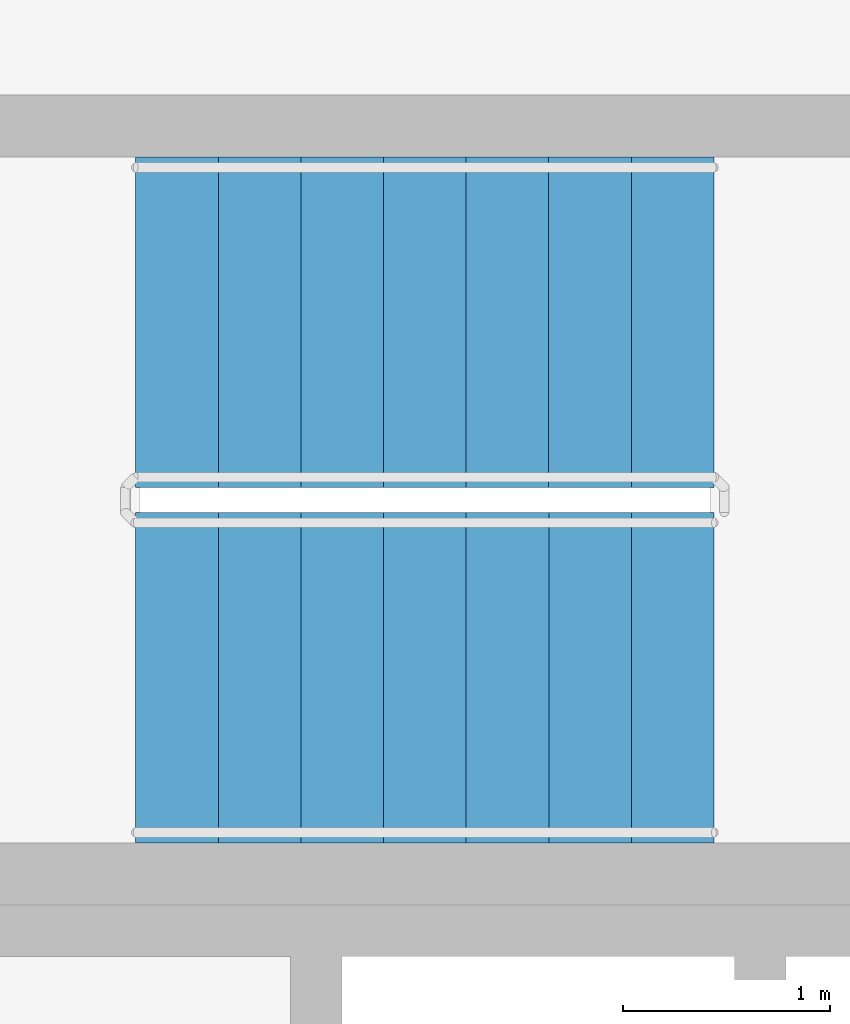
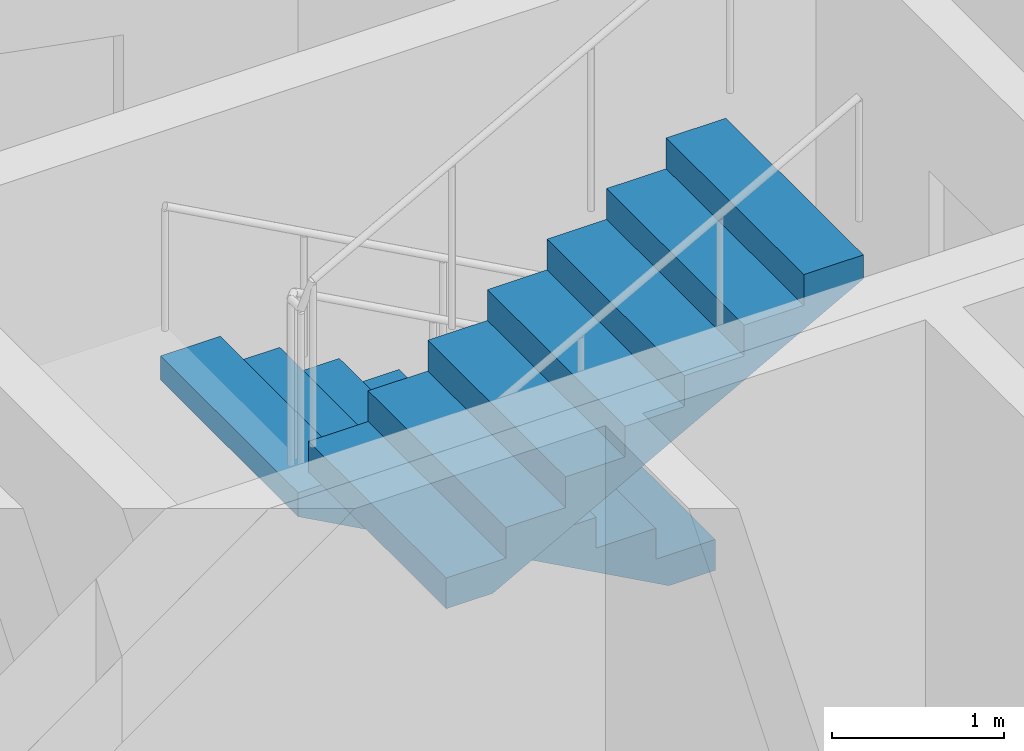
# One storey, part 17 of 18: 2 stair flights, 1 element without a shape of its own.
"""IFC4 building model written with IfcOpenShell, lengths in metres."""

from ifc_helpers import new_model, si_unit, direction, frame, origin, place, context, subcontext, project, spatial, polyline, outline, extrude, material, type_object, element, aggregate, save


model = new_model("IFC4")

# Units and contexts
model_context = context("Model", 3, precision=1e-05, world=origin(), true_north=direction((0.0, 1.0)))
body_context = subcontext(model_context, "Body", "Model", "MODEL_VIEW")
ifc_project = project(units=[si_unit("LENGTHUNIT", "METRE"), si_unit("AREAUNIT", "SQUARE_METRE"), si_unit("VOLUMEUNIT", "CUBIC_METRE"), si_unit("PLANEANGLEUNIT", "RADIAN"), si_unit("MASSUNIT", "GRAM", prefix="KILO")], contexts=[model_context])

# Site, building, storey
site_placement = place(None, origin())
site = spatial("IfcSite", under=ifc_project, at=site_placement, CompositionType="ELEMENT")
building_placement = place(site_placement, origin())
building = spatial("IfcBuilding", under=site, at=building_placement, Name="Spindle Arch Residences", CompositionType="ELEMENT")
storey_placement = place(building_placement, frame((0.0, 0.0, 273.89990234375)))
storey = spatial("IfcBuildingStorey", under=building, at=storey_placement, Name="L70", CompositionType="ELEMENT", Elevation=273.89990234375)

# Stair, stair flights
ifc_material_1 = material(Name="Concrete C50/60", Category="concrete")
stair_type = type_object("IfcStairType", Name="Exit stair 16 risers", PredefinedType="HALF_TURN_STAIR", material=ifc_material_1)
stair_placement = place(storey_placement, origin())
stair = element("IfcStair", 1, at=stair_placement, inside=storey, type_object=stair_type, Name="L70 Exit stair ST1", PredefinedType="HALF_TURN_STAIR")
ifc_material_2 = material(Name="Concrete C50/60", Category="concrete")
stair_flight_type = type_object("IfcStairFlightType", Name="Exit stair flight", PredefinedType="STRAIGHT", material=ifc_material_2)
stair_flight_1_placement = place(storey_placement, frame((5.14990234375, 7.8701171875, 0.0), z_axis=(0.0, 0.0, 1.0), x_axis=(-1.0, 0.0, 0.0)))
stair_flight_1 = element("IfcStairFlight", 2, at=stair_flight_1_placement, type_object=stair_flight_type, Name="ST1 flight 1", NumberOfRisers=8, NumberOfTreads=7, PredefinedType="STRAIGHT", RiserHeight=0.21875, TreadLength=0.4, context=body_context, shape_type="SweptSolid", body=[
    extrude(outline(polyline([(0.0, 0.0), (0.0, 0.21875), (0.39990234375, 0.21875), (0.39990234375, 0.4375), (0.800048828125, 0.4375), (0.800048828125, 0.65625), (1.199951171875, 0.65625), (1.199951171875, 0.875), (1.60009765625, 0.875), (1.60009765625, 1.09375), (2.0, 1.09375), (2.0, 1.3125), (2.39990234375, 1.3125), (2.39990234375, 1.53125), (2.800048828125, 1.53125), (2.800048828125, 1.75), (2.800048828125, 1.3603515625), (0.3125, 0.0), (0.0, 0.0)])), frame((0.0, 0.800048828125, 0.0), z_axis=(0.0, -1.0, 0.0), x_axis=(1.0, 0.0, 0.0)), (0.0, 0.0, 1.0), 1.60009765625),
])
stair_flight_2_placement = place(storey_placement, frame((2.35009765625, 6.14990234375, 1.75), z_axis=(0.0, 0.0, 1.0), x_axis=(1.0, 0.0, 0.0)))
stair_flight_2 = element("IfcStairFlight", 3, at=stair_flight_2_placement, type_object=stair_flight_type, Name="ST1 flight 2", NumberOfRisers=8, NumberOfTreads=7, PredefinedType="STRAIGHT", RiserHeight=0.21875, TreadLength=0.4, context=body_context, shape_type="SweptSolid", body=[
    extrude(outline(polyline([(0.0, 0.0), (0.0, 0.21875), (0.39990234375, 0.21875), (0.39990234375, 0.4375), (0.800048828125, 0.4375), (0.800048828125, 0.65625), (1.199951171875, 0.65625), (1.199951171875, 0.875), (1.60009765625, 0.875), (1.60009765625, 1.09375), (2.0, 1.09375), (2.0, 1.3125), (2.39990234375, 1.3125), (2.39990234375, 1.53125), (2.800048828125, 1.53125), (2.800048828125, 1.75), (2.800048828125, 1.3603515625), (0.3125, 0.0), (0.0, 0.0)])), frame((0.0, 0.800048828125, 0.0), z_axis=(0.0, -1.0, 0.0), x_axis=(1.0, 0.0, 0.0)), (0.0, 0.0, 1.0), 1.60009765625),
])
aggregate(stair, [stair_flight_1, stair_flight_2])

save(model, "model.ifc")
